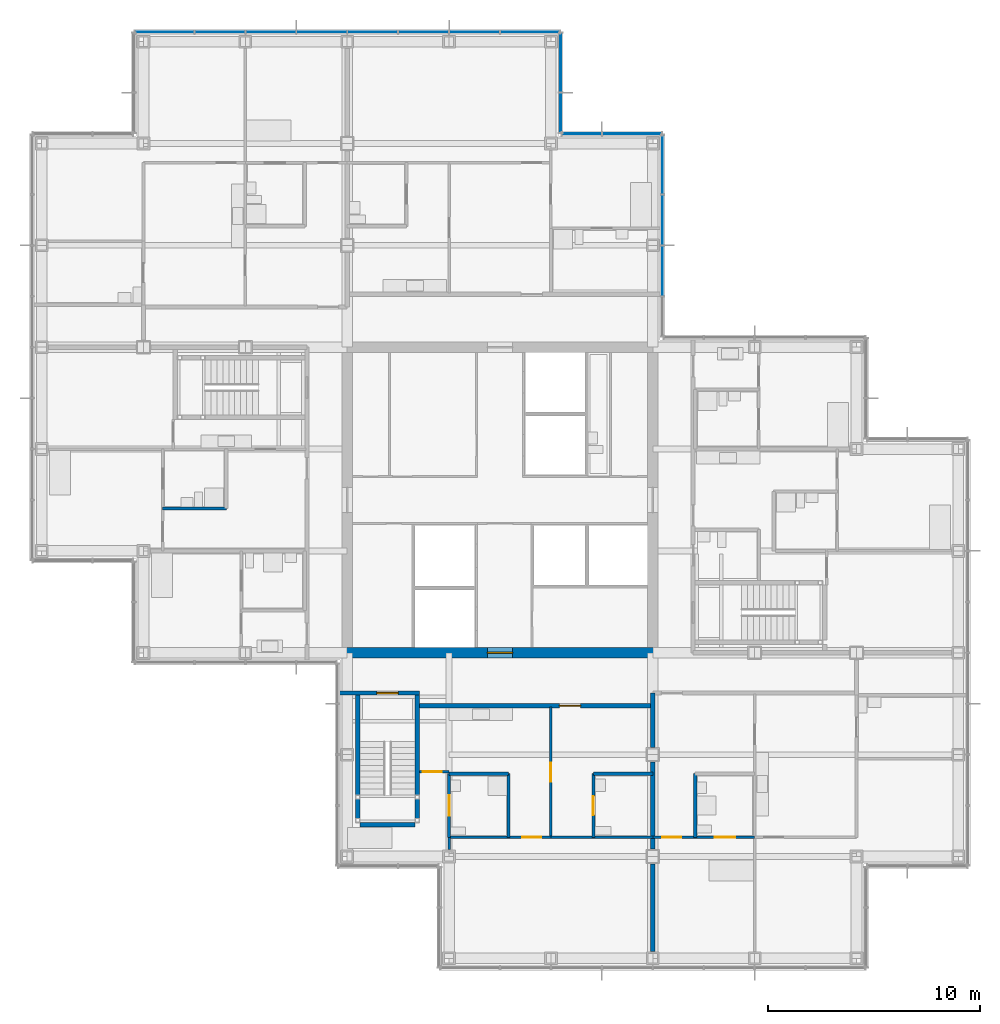
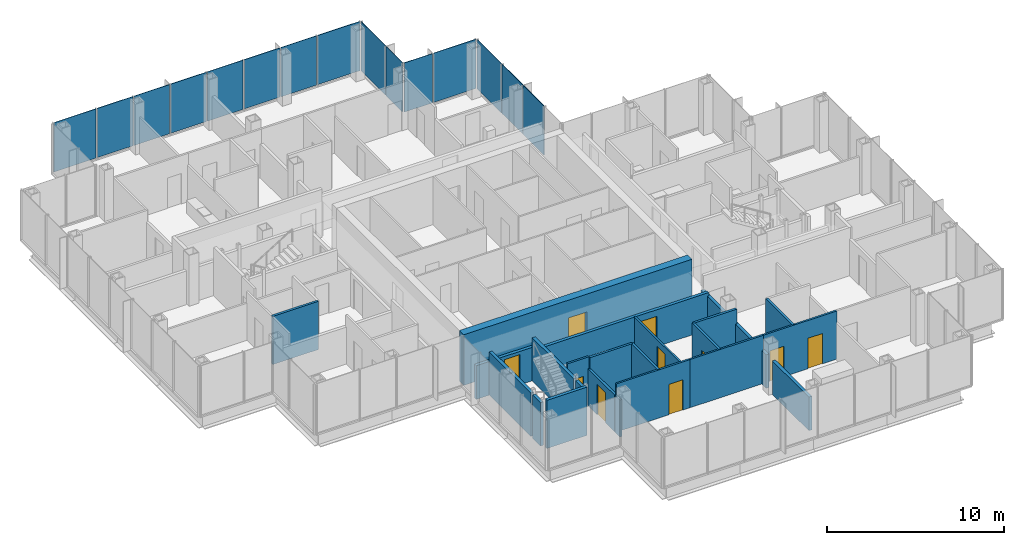
# One storey, part 13 of 20: 24 walls, 15 plates, 10 doors, 10 openings, 4 elements without a shape of their own.
"""IFC4 building model written with IfcOpenShell, lengths in metres."""

import ifcopenshell
import ifcopenshell.guid

model = None  # the IFC model being written
_history = None  # IfcOwnerHistory: only IFC2X3 demands one
_inside = {}  # id of a spatial element -> (the spatial element, [elements in it])
_under = {}  # id of a project, library or spatial element -> (it, [spatial elements below it])
_declared = {}  # id of a project -> (the project, [libraries it declares])
_typed = {}  # id of a type object -> (the type object, [elements of that type])
_made_of = {}  # id of a material, layer set ... -> (it, [elements and type objects made of it])


def new_model(schema):
    """Start an empty IFC model of exactly this schema.

    Asked for "IFC4X3", IfcOpenShell would pick the latest addendum, in which some entities
    have other attributes; the version numbers below select the first issue.
    IFC2X3 requires an IfcOwnerHistory on every rooted entity: one is made here for all.
    """
    global model, _history
    if schema == "IFC4X3":
        model = ifcopenshell.file(schema_version=(4, 3, 0, 0))
    else:
        model = ifcopenshell.file(schema=schema)
    _inside.clear()
    _under.clear()
    _declared.clear()
    _typed.clear()
    _made_of.clear()
    _history = None
    if model.schema == "IFC2X3":
        org = make("IfcOrganization", Name="unknown")
        user = make(
            "IfcPersonAndOrganization",
            ThePerson=make("IfcPerson", FamilyName="unknown"),
            TheOrganization=org,
        )
        app = make(
            "IfcApplication",
            ApplicationDeveloper=org,
            Version="unknown",
            ApplicationFullName="unknown",
            ApplicationIdentifier="unknown",
        )
        _history = make(
            "IfcOwnerHistory",
            OwningUser=user,
            OwningApplication=app,
            ChangeAction="ADDED",
            CreationDate=0,
        )
    return model


def make(cls, **values):
    """One entity of the class cls with the attributes given. An attribute that is None is left unset."""
    return model.create_entity(
        cls, **{name: value for name, value in values.items() if value is not None}
    )


def rooted(cls, **values):
    """An entity with a GlobalId (a new one), such as an element, a storey or a relation."""
    return make(cls, GlobalId=ifcopenshell.guid.new(), OwnerHistory=_history, **values)


def si_unit(unit_type, name, prefix=None):
    """IfcSIUnit, for example si_unit("LENGTHUNIT", "METRE", prefix="MILLI")."""
    return make("IfcSIUnit", UnitType=unit_type, Prefix=prefix, Name=name)


def assignment(units):
    """IfcUnitAssignment: the units of a project."""
    return None if units is None else make("IfcUnitAssignment", Units=units)


def point(xyz):
    """IfcCartesianPoint."""
    return None if xyz is None else make("IfcCartesianPoint", Coordinates=xyz)


def direction(xyz):
    """IfcDirection."""
    return None if xyz is None else make("IfcDirection", DirectionRatios=xyz)


def frame(location, z_axis=None, x_axis=None):
    """IfcAxis2Placement3D, a coordinate frame: its origin and axes. An axis left out is left unset."""
    return make(
        "IfcAxis2Placement3D",
        Location=point(location),
        Axis=direction(z_axis),
        RefDirection=direction(x_axis),
    )


def frame_2d(location, x_axis=None):
    """IfcAxis2Placement2D, a coordinate frame in the plane: its origin and x axis."""
    return make(
        "IfcAxis2Placement2D", Location=point(location), RefDirection=direction(x_axis)
    )


def origin():
    """The frame at (0, 0, 0) with its axes left unset."""
    return frame((0.0, 0.0, 0.0))


def origin_2d():
    """The frame at (0, 0) in the plane with its x axis left unset."""
    return frame_2d((0.0, 0.0))


def place(relative_to, where):
    """IfcLocalPlacement: puts the frame where relative to a parent placement (None: the world)."""
    return make(
        "IfcLocalPlacement", PlacementRelTo=relative_to, RelativePlacement=where
    )


def context(
    kind, dimensions, precision=None, world=None, true_north=None, identifier=None
):
    """IfcGeometricRepresentationContext, for example the 3D "Model" context."""
    return make(
        "IfcGeometricRepresentationContext",
        ContextIdentifier=identifier,
        ContextType=kind,
        CoordinateSpaceDimension=dimensions,
        Precision=precision,
        WorldCoordinateSystem=world,
        TrueNorth=true_north,
    )


def subcontext(parent, identifier, kind, view, scale=None):
    """IfcGeometricRepresentationSubContext, for example "Body" below "Model"."""
    return make(
        "IfcGeometricRepresentationSubContext",
        ContextIdentifier=identifier,
        ContextType=kind,
        ParentContext=parent,
        TargetScale=scale,
        TargetView=view,
    )


def project(units=None, contexts=None):
    """IfcProject with its units and contexts."""
    return rooted(
        "IfcProject",
        Name="project",
        RepresentationContexts=contexts,
        UnitsInContext=assignment(units),
    )


def spatial(cls, under=None, at=None, **own):
    """A site, building, storey or space (cls), placed at a placement, below another one or the project."""
    s = rooted(cls, ObjectPlacement=at, **own)
    if under is not None:
        _under.setdefault(under.id(), (under, []))[1].append(s)
    return s


def profile(cls, at=None, kind="AREA", **sizes):
    """A parametric profile (cls). Its sizes go by their IFC names, for example OverallWidth=200.0."""
    return make(cls, ProfileType=kind, Position=at, **sizes)


def rectangle(**sizes):
    """IfcRectangleProfileDef."""
    return profile("IfcRectangleProfileDef", **sizes)


def extrude(swept, where, along, depth):
    """IfcExtrudedAreaSolid: the profile swept, set in the frame where, extruded along a direction by depth."""
    return make(
        "IfcExtrudedAreaSolid",
        SweptArea=swept,
        Position=where,
        ExtrudedDirection=direction(along),
        Depth=depth,
    )


def shape(context_of_items, identifier, shape_type, items):
    """IfcShapeRepresentation: the items that make up one representation, for example the "Body"."""
    return make(
        "IfcShapeRepresentation",
        ContextOfItems=context_of_items,
        RepresentationIdentifier=identifier,
        RepresentationType=shape_type,
        Items=items,
    )


def material(Name=None, Category=None):
    """IfcMaterial."""
    return make("IfcMaterial", Name=Name, Category=Category)


def layer(
    of_material, thickness, ventilated=None, Name=None, Category=None, Priority=None
):
    """IfcMaterialLayer: one layer of a wall or slab, of a material (None: an air gap)."""
    return make(
        "IfcMaterialLayer",
        Material=of_material,
        LayerThickness=thickness,
        IsVentilated=ventilated,
        Name=Name,
        Category=Category,
        Priority=Priority,
    )


def layer_set(layers, Name=None):
    """IfcMaterialLayerSet."""
    return make("IfcMaterialLayerSet", MaterialLayers=layers, LayerSetName=Name)


def made_of(thing, what):
    """Note that an element or type object is made of a material, layer set ...; save() writes the relation."""
    if what is not None:
        _made_of.setdefault(what.id(), (what, []))[1].append(thing)
    return thing


def type_object(cls, material=None, **own):
    """A type object (cls), such as IfcWallType, which elements share."""
    return made_of(rooted(cls, **own), material)


def element(
    cls,
    number,
    at=None,
    inside=None,
    cuts=None,
    type_object=None,
    material=None,
    context=None,
    identifier="Body",
    shape_type=None,
    held_by="IfcProductDefinitionShape",
    body=None,
    shapes=None,
    **own,
):
    """One element of the class cls, such as IfcWall. Its Tag is "e" and its number.

    at: its placement. inside: the storey or other place that contains it. cuts: it is an
    opening in that element (IfcRelVoidsElement). A single representation is given by context,
    identifier, shape_type and body (its items); several are given by shapes. held_by: the class
    of the entity that holds the representations. save() writes the other relations.
    """
    e = rooted(cls, Tag="e%d" % number, ObjectPlacement=at, **own)
    if body is not None:
        shapes = [shape(context, identifier, shape_type, body)]
    if shapes is not None:
        e.Representation = make(held_by, Representations=shapes)
    if inside is not None:
        _inside.setdefault(inside.id(), (inside, []))[1].append(e)
    if cuts is not None:
        rooted(
            "IfcRelVoidsElement", RelatingBuildingElement=cuts, RelatedOpeningElement=e
        )
    if type_object is not None:
        _typed.setdefault(type_object.id(), (type_object, []))[1].append(e)
    return made_of(e, material)


def fill(opening, filler):
    """IfcRelFillsElement: the door or window that sits in an opening."""
    return rooted(
        "IfcRelFillsElement",
        RelatingOpeningElement=opening,
        RelatedBuildingElement=filler,
    )


def aggregate(whole, parts):
    """IfcRelAggregates: a whole, such as a stair, and the parts it consists of."""
    return rooted("IfcRelAggregates", RelatingObject=whole, RelatedObjects=parts)


def save(model, path):
    """Write the relations noted so far, then the file.

    IfcRelAggregates (storeys below a building ...), IfcRelContainedInSpatialStructure (elements
    in a storey), IfcRelDefinesByType, IfcRelAssociatesMaterial and IfcRelDeclares: one each for
    every whole, place, type object, material and project.
    """
    for whole, parts in _under.values():
        aggregate(whole, parts)
    for where, things in _inside.values():
        rooted(
            "IfcRelContainedInSpatialStructure",
            RelatedElements=things,
            RelatingStructure=where,
        )
    for kind, things in _typed.values():
        rooted("IfcRelDefinesByType", RelatedObjects=things, RelatingType=kind)
    for what, things in _made_of.values():
        rooted("IfcRelAssociatesMaterial", RelatedObjects=things, RelatingMaterial=what)
    for by, libraries in _declared.values():
        rooted("IfcRelDeclares", RelatingContext=by, RelatedDefinitions=libraries)
    model.write(path)


model = new_model("IFC4")

# Units and contexts
model_context = context("Model", 3, precision=1e-05, world=origin(), true_north=direction((0.0, 1.0)))
body_context = subcontext(model_context, "Body", "Model", "MODEL_VIEW")
ifc_project = project(units=[si_unit("LENGTHUNIT", "METRE"), si_unit("AREAUNIT", "SQUARE_METRE"), si_unit("VOLUMEUNIT", "CUBIC_METRE"), si_unit("PLANEANGLEUNIT", "RADIAN"), si_unit("MASSUNIT", "GRAM", prefix="KILO")], contexts=[model_context])

# Site, building, storey
site_placement = place(None, origin())
site = spatial("IfcSite", under=ifc_project, at=site_placement, CompositionType="ELEMENT")
building_placement = place(site_placement, origin())
building = spatial("IfcBuilding", under=site, at=building_placement, Name="Kvirike Care Tower", CompositionType="ELEMENT")
storey_placement = place(building_placement, frame((0.0, 0.0, 126.0)))
storey = spatial("IfcBuildingStorey", under=building, at=storey_placement, Name="L34", CompositionType="ELEMENT", Elevation=126.0)

# Curtain wall, plates
ifc_material_1 = material(Name="Anodised aluminium stick system", Category="aluminium")
curtain_wall_type = type_object("IfcCurtainWallType", Name="CW-B STICK CURTAIN WALL", PredefinedType="NOTDEFINED", material=ifc_material_1)
curtain_wall_1_placement = place(storey_placement, origin())
curtain_wall_1 = element("IfcCurtainWall", 1, at=curtain_wall_1_placement, inside=storey, type_object=curtain_wall_type, Name="Curtain wall L34 face 5", PredefinedType="NOTDEFINED")
ifc_material_2 = material(Name="Tinted double glazed unit", Category="glass")
ifc_layer_1 = layer(ifc_material_2, 0.035888671875)
ifc_layer_set_1 = layer_set([ifc_layer_1], Name="TINTED VISION PANEL 36")
plate_type = type_object("IfcPlateType", Name="TINTED VISION PANEL 36", PredefinedType="CURTAIN_PANEL", material=ifc_layer_set_1)
plate_1_placement = place(storey_placement, frame((29.260009765625, 46.800048828125, 0.10009765625), z_axis=(0.0, 0.0, 1.0), x_axis=(0.0, 1.0, 0.0)))
plate_1 = element("IfcPlate", 2, at=plate_1_placement, type_object=plate_type, Name="CW-B panel L34 face 5.2", PredefinedType="CURTAIN_PANEL", context=body_context, shape_type="SweptSolid", body=[
    extrude(rectangle(XDim=2.3349609375, YDim=0.035888671875, at=origin_2d()), origin(), (0.0, 0.0, 1.0), 3.39990234375),
])
plate_2_placement = place(storey_placement, frame((29.260009765625, 49.199951171875, 0.10009765625), z_axis=(0.0, 0.0, 1.0), x_axis=(0.0, 1.0, 0.0)))
plate_2 = element("IfcPlate", 3, at=plate_2_placement, type_object=plate_type, Name="CW-B panel L34 face 5.3", PredefinedType="CURTAIN_PANEL", context=body_context, shape_type="SweptSolid", body=[
    extrude(rectangle(XDim=2.3349609375, YDim=0.035888671875, at=origin_2d()), origin(), (0.0, 0.0, 1.0), 3.39990234375),
])
plate_3_placement = place(storey_placement, frame((29.260009765625, 51.813720703125, 0.10009765625), z_axis=(0.0, 0.0, 1.0), x_axis=(0.0, 1.0, 0.0)))
plate_3 = element("IfcPlate", 4, at=plate_3_placement, type_object=plate_type, Name="CW-B panel L34 face 5.4", PredefinedType="CURTAIN_PANEL", context=body_context, shape_type="SweptSolid", body=[
    extrude(rectangle(XDim=2.762451171875, YDim=0.035888671875, at=origin_2d()), origin(), (0.0, 0.0, 1.0), 3.39990234375),
])
aggregate(curtain_wall_1, [plate_1, plate_2, plate_3])

curtain_wall_2_placement = place(storey_placement, origin())
curtain_wall_2 = element("IfcCurtainWall", 5, at=curtain_wall_2_placement, inside=storey, type_object=curtain_wall_type, Name="Curtain wall L34 face 6", PredefinedType="NOTDEFINED")
plate_4_placement = place(storey_placement, frame((27.813720703125, 53.260009765625, 0.10009765625), z_axis=(0.0, 0.0, 1.0), x_axis=(-1.0, 0.0, 0.0)))
plate_4 = element("IfcPlate", 6, at=plate_4_placement, type_object=plate_type, Name="CW-B panel L34 face 6.1", PredefinedType="CURTAIN_PANEL", context=body_context, shape_type="SweptSolid", body=[
    extrude(rectangle(XDim=2.762451171875, YDim=0.035888671875, at=origin_2d()), origin(), (0.0, 0.0, 1.0), 3.39990234375),
])
plate_5_placement = place(storey_placement, frame((25.4462890625, 53.260009765625, 0.10009765625), z_axis=(0.0, 0.0, 1.0), x_axis=(-1.0, 0.0, 0.0)))
plate_5 = element("IfcPlate", 7, at=plate_5_placement, type_object=plate_type, Name="CW-B panel L34 face 6.2", PredefinedType="CURTAIN_PANEL", context=body_context, shape_type="SweptSolid", body=[
    extrude(rectangle(XDim=1.842529296875, YDim=0.035888671875, at=origin_2d()), origin(), (0.0, 0.0, 1.0), 3.39990234375),
])
aggregate(curtain_wall_2, [plate_4, plate_5])

curtain_wall_3_placement = place(storey_placement, origin())
curtain_wall_3 = element("IfcCurtainWall", 8, at=curtain_wall_3_placement, inside=storey, type_object=curtain_wall_type, Name="Curtain wall L34 face 7", PredefinedType="NOTDEFINED")
plate_6_placement = place(storey_placement, frame((24.4599609375, 54.246337890625, 0.10009765625), z_axis=(0.0, 0.0, 1.0), x_axis=(0.0, 1.0, 0.0)))
plate_6 = element("IfcPlate", 9, at=plate_6_placement, type_object=plate_type, Name="CW-B panel L34 face 7.1", PredefinedType="CURTAIN_PANEL", context=body_context, shape_type="SweptSolid", body=[
    extrude(rectangle(XDim=1.842529296875, YDim=0.035888671875, at=origin_2d()), origin(), (0.0, 0.0, 1.0), 3.39990234375),
])
plate_7_placement = place(storey_placement, frame((24.4599609375, 56.61376953125, 0.10009765625), z_axis=(0.0, 0.0, 1.0), x_axis=(0.0, 1.0, 0.0)))
plate_7 = element("IfcPlate", 10, at=plate_7_placement, type_object=plate_type, Name="CW-B panel L34 face 7.2", PredefinedType="CURTAIN_PANEL", context=body_context, shape_type="SweptSolid", body=[
    extrude(rectangle(XDim=2.762451171875, YDim=0.035888671875, at=origin_2d()), origin(), (0.0, 0.0, 1.0), 3.39990234375),
])
aggregate(curtain_wall_3, [plate_6, plate_7])

curtain_wall_4_placement = place(storey_placement, origin())
curtain_wall_4 = element("IfcCurtainWall", 11, at=curtain_wall_4_placement, inside=storey, type_object=curtain_wall_type, Name="Curtain wall L34 face 8", PredefinedType="NOTDEFINED")
plate_8_placement = place(storey_placement, frame((23.013671875, 58.06005859375, 0.10009765625), z_axis=(0.0, 0.0, 1.0), x_axis=(-1.0, 0.0, 0.0)))
plate_8 = element("IfcPlate", 12, at=plate_8_placement, type_object=plate_type, Name="CW-B panel L34 face 8.1", PredefinedType="CURTAIN_PANEL", context=body_context, shape_type="SweptSolid", body=[
    extrude(rectangle(XDim=2.762451171875, YDim=0.035888671875, at=origin_2d()), origin(), (0.0, 0.0, 1.0), 3.39990234375),
])
plate_9_placement = place(storey_placement, frame((20.39990234375, 58.06005859375, 0.10009765625), z_axis=(0.0, 0.0, 1.0), x_axis=(-1.0, 0.0, 0.0)))
plate_9 = element("IfcPlate", 13, at=plate_9_placement, type_object=plate_type, Name="CW-B panel L34 face 8.2", PredefinedType="CURTAIN_PANEL", context=body_context, shape_type="SweptSolid", body=[
    extrude(rectangle(XDim=2.3349609375, YDim=0.035888671875, at=origin_2d()), origin(), (0.0, 0.0, 1.0), 3.39990234375),
])
plate_10_placement = place(storey_placement, frame((18.0, 58.06005859375, 0.10009765625), z_axis=(0.0, 0.0, 1.0), x_axis=(-1.0, 0.0, 0.0)))
plate_10 = element("IfcPlate", 14, at=plate_10_placement, type_object=plate_type, Name="CW-B panel L34 face 8.3", PredefinedType="CURTAIN_PANEL", context=body_context, shape_type="SweptSolid", body=[
    extrude(rectangle(XDim=2.3349609375, YDim=0.035888671875, at=origin_2d()), origin(), (0.0, 0.0, 1.0), 3.39990234375),
])
plate_11_placement = place(storey_placement, frame((15.60009765625, 58.06005859375, 0.10009765625), z_axis=(0.0, 0.0, 1.0), x_axis=(-1.0, 0.0, 0.0)))
plate_11 = element("IfcPlate", 15, at=plate_11_placement, type_object=plate_type, Name="CW-B panel L34 face 8.4", PredefinedType="CURTAIN_PANEL", context=body_context, shape_type="SweptSolid", body=[
    extrude(rectangle(XDim=2.3349609375, YDim=0.035888671875, at=origin_2d()), origin(), (0.0, 0.0, 1.0), 3.39990234375),
])
plate_12_placement = place(storey_placement, frame((13.199951171875, 58.06005859375, 0.10009765625), z_axis=(0.0, 0.0, 1.0), x_axis=(-1.0, 0.0, 0.0)))
plate_12 = element("IfcPlate", 16, at=plate_12_placement, type_object=plate_type, Name="CW-B panel L34 face 8.5", PredefinedType="CURTAIN_PANEL", context=body_context, shape_type="SweptSolid", body=[
    extrude(rectangle(XDim=2.3349609375, YDim=0.035888671875, at=origin_2d()), origin(), (0.0, 0.0, 1.0), 3.39990234375),
])
plate_13_placement = place(storey_placement, frame((10.800048828125, 58.06005859375, 0.10009765625), z_axis=(0.0, 0.0, 1.0), x_axis=(-1.0, 0.0, 0.0)))
plate_13 = element("IfcPlate", 17, at=plate_13_placement, type_object=plate_type, Name="CW-B panel L34 face 8.6", PredefinedType="CURTAIN_PANEL", context=body_context, shape_type="SweptSolid", body=[
    extrude(rectangle(XDim=2.3349609375, YDim=0.035888671875, at=origin_2d()), origin(), (0.0, 0.0, 1.0), 3.39990234375),
])
plate_14_placement = place(storey_placement, frame((8.39990234375, 58.06005859375, 0.10009765625), z_axis=(0.0, 0.0, 1.0), x_axis=(-1.0, 0.0, 0.0)))
plate_14 = element("IfcPlate", 18, at=plate_14_placement, type_object=plate_type, Name="CW-B panel L34 face 8.7", PredefinedType="CURTAIN_PANEL", context=body_context, shape_type="SweptSolid", body=[
    extrude(rectangle(XDim=2.3349609375, YDim=0.035888671875, at=origin_2d()), origin(), (0.0, 0.0, 1.0), 3.39990234375),
])
plate_15_placement = place(storey_placement, frame((5.7861328125, 58.06005859375, 0.10009765625), z_axis=(0.0, 0.0, 1.0), x_axis=(-1.0, 0.0, 0.0)))
plate_15 = element("IfcPlate", 19, at=plate_15_placement, type_object=plate_type, Name="CW-B panel L34 face 8.8", PredefinedType="CURTAIN_PANEL", context=body_context, shape_type="SweptSolid", body=[
    extrude(rectangle(XDim=2.762451171875, YDim=0.035888671875, at=origin_2d()), origin(), (0.0, 0.0, 1.0), 3.39990234375),
])
aggregate(curtain_wall_4, [plate_8, plate_9, plate_10, plate_11, plate_12, plate_13, plate_14, plate_15])

# Wall
ifc_material_3 = material(Name="Moisture-resistant board partition", Category="gypsum")
ifc_layer_2 = layer(ifc_material_3, 0.14990234375)
ifc_layer_set_2 = layer_set([ifc_layer_2], Name="BATHROOM WALL 150")
wall_type_1 = type_object("IfcWallType", Name="BATHROOM WALL 150", PredefinedType="PARTITIONING", material=ifc_layer_set_2)
wall_1_placement = place(storey_placement, frame((5.699951171875, 35.60009765625, 0.0), z_axis=(0.0, 0.0, 1.0), x_axis=(1.0, 0.0, 0.0)))
element("IfcWall", 20, at=wall_1_placement, inside=storey, type_object=wall_type_1, Name="Bathroom Wall 150 L34", PredefinedType="PARTITIONING", context=body_context, shape_type="SweptSolid", body=[
    extrude(rectangle(XDim=3.0, YDim=0.14990234375, at=frame_2d((1.5, 0.0))), origin(), (0.0, 0.0, 1.0), 3.330078125),
])

# Wall, opening, door
wall_2_placement = place(storey_placement, frame((26.0, 20.10009765625, 0.0), z_axis=(0.0, 0.0, 1.0), x_axis=(0.0, 1.0, 0.0)))
wall_2 = element("IfcWall", 21, at=wall_2_placement, inside=storey, type_object=wall_type_1, Name="Bathroom Wall 150 L34", PredefinedType="PARTITIONING", context=body_context, shape_type="SweptSolid", body=[
    extrude(rectangle(XDim=3.0, YDim=0.14990234375, at=frame_2d((1.5, 0.0))), origin(), (0.0, 0.0, 1.0), 3.330078125),
])
opening_1_placement = place(wall_2_placement, frame((1.050048828125, 0.0, 0.0)))
opening_1 = element("IfcOpeningElement", 22, at=opening_1_placement, cuts=wall_2, Name="Opening 34-017", PredefinedType="OPENING", context=body_context, shape_type="SweptSolid", body=[
    extrude(rectangle(XDim=0.89990234375, YDim=2.10009765625, at=frame_2d((0.449951171875, 1.050048828125))), frame((0.0, 0.08544921875, 0.0), z_axis=(0.0, -1.0, 0.0), x_axis=(1.0, 0.0, 0.0)), (0.0, 0.0, 1.0), 0.1708984375),
])
ifc_material_4 = material(Name="Timber door set", Category="wood")
door_type_1 = type_object("IfcDoorType", Name="BATHROOM DOOR 900", OperationType="SINGLE_SWING_RIGHT", PredefinedType="DOOR", material=ifc_material_4)
door_1_placement = place(opening_1_placement, frame((0.89990234375, 0.0, 0.0), z_axis=(0.0, 0.0, 1.0), x_axis=(-1.0, 0.0, 0.0)))
door_1 = element("IfcDoor", 23, at=door_1_placement, inside=storey, type_object=door_type_1, Name="Accessible WC door", OperationType="SINGLE_SWING_RIGHT", OverallHeight=2.10009765625, OverallWidth=0.89990234375, PredefinedType="DOOR", context=body_context, shape_type="SweptSolid", body=[
    extrude(rectangle(XDim=0.89990234375, YDim=2.10009765625, at=frame_2d((0.449951171875, 1.050048828125))), frame((0.0, 0.02197265625, 0.0), z_axis=(0.0, -1.0, 0.0), x_axis=(1.0, 0.0, 0.0)), (0.0, 0.0, 1.0), 0.0439453125),
])
fill(opening_1, door_1)

# Wall
wall_3_placement = place(storey_placement, frame((26.0, 23.10009765625, 0.0), z_axis=(0.0, 0.0, 1.0), x_axis=(1.0, 0.0, 0.0)))
element("IfcWall", 24, at=wall_3_placement, inside=storey, type_object=wall_type_1, Name="Bathroom Wall 150 L34", PredefinedType="PARTITIONING", context=body_context, shape_type="SweptSolid", body=[
    extrude(rectangle(XDim=2.800048828125, YDim=0.14990234375, at=frame_2d((1.39990234375, 0.0))), origin(), (0.0, 0.0, 1.0), 3.330078125),
])

# Wall, opening, door
wall_4_placement = place(storey_placement, frame((19.199951171875, 20.10009765625, 0.0), z_axis=(0.0, 0.0, 1.0), x_axis=(0.0, 1.0, 0.0)))
wall_4 = element("IfcWall", 25, at=wall_4_placement, inside=storey, type_object=wall_type_1, Name="Bathroom Wall 150 L34", PredefinedType="PARTITIONING", context=body_context, shape_type="SweptSolid", body=[
    extrude(rectangle(XDim=3.0, YDim=0.14990234375, at=frame_2d((1.5, 0.0))), origin(), (0.0, 0.0, 1.0), 2.550048828125),
])
opening_2_placement = place(wall_4_placement, frame((1.02490234375, 0.0, 0.0)))
opening_2 = element("IfcOpeningElement", 26, at=opening_2_placement, cuts=wall_4, Name="Opening 34-018", PredefinedType="OPENING", context=body_context, shape_type="SweptSolid", body=[
    extrude(rectangle(XDim=0.949951171875, YDim=2.10009765625, at=frame_2d((0.47509765625, 1.050048828125))), frame((0.0, 0.08544921875, 0.0), z_axis=(0.0, -1.0, 0.0), x_axis=(1.0, 0.0, 0.0)), (0.0, 0.0, 1.0), 0.1708984375),
])
ifc_material_5 = material(Name="Timber door set", Category="wood")
door_type_2 = type_object("IfcDoorType", Name="EN-SUITE SLIDING DOOR 950", OperationType="SLIDING_TO_LEFT", PredefinedType="DOOR", material=ifc_material_5)
door_2_placement = place(opening_2_placement, origin())
door_2 = element("IfcDoor", 27, at=door_2_placement, inside=storey, type_object=door_type_2, Name="En-suite door", OperationType="SLIDING_TO_RIGHT", OverallHeight=2.10009765625, OverallWidth=0.949951171875, PredefinedType="DOOR", context=body_context, shape_type="SweptSolid", body=[
    extrude(rectangle(XDim=0.949951171875, YDim=2.10009765625, at=frame_2d((0.47509765625, 1.050048828125))), frame((0.0, 0.02197265625, 0.0), z_axis=(0.0, -1.0, 0.0), x_axis=(1.0, 0.0, 0.0)), (0.0, 0.0, 1.0), 0.0439453125),
])
fill(opening_2, door_2)

# Walls
wall_5_placement = place(storey_placement, frame((22.0, 20.10009765625, 0.0), z_axis=(0.0, 0.0, 1.0), x_axis=(0.0, 1.0, 0.0)))
element("IfcWall", 28, at=wall_5_placement, inside=storey, type_object=wall_type_1, Name="Bathroom Wall 150 L34", PredefinedType="PARTITIONING", context=body_context, shape_type="SweptSolid", body=[
    extrude(rectangle(XDim=3.0, YDim=0.14990234375, at=frame_2d((1.5, 0.0))), origin(), (0.0, 0.0, 1.0), 3.330078125),
])
wall_6_placement = place(storey_placement, frame((19.199951171875, 23.10009765625, 0.0), z_axis=(0.0, 0.0, 1.0), x_axis=(1.0, 0.0, 0.0)))
element("IfcWall", 29, at=wall_6_placement, inside=storey, type_object=wall_type_1, Name="Bathroom Wall 150 L34", PredefinedType="PARTITIONING", context=body_context, shape_type="SweptSolid", body=[
    extrude(rectangle(XDim=2.800048828125, YDim=0.14990234375, at=frame_2d((1.39990234375, 0.0))), origin(), (0.0, 0.0, 1.0), 3.330078125),
])
wall_7_placement = place(storey_placement, frame((30.800048828125, 20.10009765625, 0.0), z_axis=(0.0, 0.0, 1.0), x_axis=(0.0, 1.0, 0.0)))
element("IfcWall", 30, at=wall_7_placement, inside=storey, type_object=wall_type_1, Name="Bathroom Wall 150 L34", PredefinedType="PARTITIONING", context=body_context, shape_type="SweptSolid", body=[
    extrude(rectangle(XDim=3.0, YDim=0.14990234375, at=frame_2d((1.5, 0.0))), origin(), (0.0, 0.0, 1.0), 3.330078125),
])

# Wall, opening, door
ifc_material_6 = material(Name="Concrete C50/60", Category="concrete")
ifc_layer_3 = layer(ifc_material_6, 0.5)
ifc_layer_set_3 = layer_set([ifc_layer_3], Name="CORE WALL 500 C50-60")
wall_type_2 = type_object("IfcWallType", Name="CORE WALL 500 C50-60", PredefinedType="SHEAR", material=ifc_layer_set_3)
wall_8_placement = place(storey_placement, frame((14.14990234375, 28.800048828125, -0.169921875), z_axis=(0.0, 0.0, 1.0), x_axis=(1.0, 0.0, 0.0)))
wall_8 = element("IfcWall", 31, at=wall_8_placement, inside=storey, type_object=wall_type_2, Name="Core wall S L34", PredefinedType="SHEAR", context=body_context, shape_type="SweptSolid", body=[
    extrude(rectangle(XDim=14.900146484375, YDim=0.5, at=frame_2d((7.4501953125, 0.0))), origin(), (0.0, 0.0, 1.0), 3.5),
])
opening_3_placement = place(wall_8_placement, frame((6.85009765625, 0.0, 0.169921875)))
opening_3 = element("IfcOpeningElement", 32, at=opening_3_placement, cuts=wall_8, Name="Opening 34-056", PredefinedType="OPENING", context=body_context, shape_type="SweptSolid", body=[
    extrude(rectangle(XDim=1.199951171875, YDim=2.10009765625, at=frame_2d((0.60009765625, 1.050048828125))), frame((0.0, 0.260498046875, 0.0), z_axis=(0.0, -1.0, 0.0), x_axis=(1.0, 0.0, 0.0)), (0.0, 0.0, 1.0), 0.52099609375),
])
ifc_material_7 = material(Name="Timber door set", Category="wood")
door_type_3 = type_object("IfcDoorType", Name="CORE DOOR 1200", OperationType="SINGLE_SWING_LEFT", PredefinedType="DOOR", material=ifc_material_7)
door_3_placement = place(opening_3_placement, origin())
door_3 = element("IfcDoor", 33, at=door_3_placement, inside=storey, type_object=door_type_3, Name="Core door S L34", OperationType="SINGLE_SWING_LEFT", OverallHeight=2.10009765625, OverallWidth=1.199951171875, PredefinedType="DOOR", context=body_context, shape_type="SweptSolid", body=[
    extrude(rectangle(XDim=1.199951171875, YDim=2.10009765625, at=frame_2d((0.60009765625, 1.050048828125))), frame((0.0, 0.02685546875, 0.0), z_axis=(0.0, -1.0, 0.0), x_axis=(1.0, 0.0, 0.0)), (0.0, 0.0, 1.0), 0.053955078125),
])
fill(opening_3, door_3)

ifc_material_8 = material(Name="Plasterboard corridor wall", Category="gypsum")
ifc_layer_4 = layer(ifc_material_8, 0.199951171875)
ifc_layer_set_4 = layer_set([ifc_layer_4], Name="CORRIDOR WALL 200")
wall_type_3 = type_object("IfcWallType", Name="CORRIDOR WALL 200", PredefinedType="PARTITIONING", material=ifc_layer_set_4)
wall_9_placement = place(storey_placement, frame((17.800048828125, 26.300048828125, 0.0), z_axis=(0.0, 0.0, 1.0), x_axis=(1.0, 0.0, 0.0)))
wall_9 = element("IfcWall", 34, at=wall_9_placement, inside=storey, type_object=wall_type_3, Name="Corridor Wall 200 L34", PredefinedType="PARTITIONING", context=body_context, shape_type="SweptSolid", body=[
    extrude(rectangle(XDim=11.0, YDim=0.199951171875, at=frame_2d((5.5, 0.0))), origin(), (0.0, 0.0, 1.0), 2.550048828125),
])
opening_4_placement = place(wall_9_placement, frame((6.60009765625, 0.0, 0.0)))
opening_4 = element("IfcOpeningElement", 35, at=opening_4_placement, cuts=wall_9, Name="Opening 34-022", PredefinedType="OPENING", context=body_context, shape_type="SweptSolid", body=[
    extrude(rectangle(XDim=1.0, YDim=2.10009765625, at=frame_2d((0.5, 1.050048828125))), frame((0.0, 0.110595703125, 0.0), z_axis=(0.0, -1.0, 0.0), x_axis=(1.0, 0.0, 0.0)), (0.0, 0.0, 1.0), 0.220947265625),
])
ifc_material_9 = material(Name="Timber door set", Category="wood")
door_type_4 = type_object("IfcDoorType", Name="FLAT ENTRANCE DOOR 1000", OperationType="SINGLE_SWING_LEFT", PredefinedType="DOOR", material=ifc_material_9)
door_4_placement = place(opening_4_placement, frame((1.0, 0.0, 0.0), z_axis=(0.0, 0.0, 1.0), x_axis=(-1.0, 0.0, 0.0)))
door_4 = element("IfcDoor", 36, at=door_4_placement, inside=storey, type_object=door_type_4, Name="Assisted living suite for couples entrance", OperationType="SINGLE_SWING_LEFT", OverallHeight=2.10009765625, OverallWidth=1.0, PredefinedType="DOOR", context=body_context, shape_type="SweptSolid", body=[
    extrude(rectangle(XDim=1.0, YDim=2.10009765625, at=frame_2d((0.5, 1.050048828125))), frame((0.0, 0.02685546875, 0.0), z_axis=(0.0, -1.0, 0.0), x_axis=(1.0, 0.0, 0.0)), (0.0, 0.0, 1.0), 0.053955078125),
])
fill(opening_4, door_4)

ifc_material_10 = material(Name="Plasterboard partition", Category="gypsum")
ifc_layer_5 = layer(ifc_material_10, 0.1201171875)
ifc_layer_set_5 = layer_set([ifc_layer_5], Name="PARTITION 120")
wall_type_4 = type_object("IfcWallType", Name="PARTITION 120", PredefinedType="PARTITIONING", material=ifc_layer_set_5)
wall_10_placement = place(storey_placement, frame((24.0, 20.10009765625, 0.0), z_axis=(0.0, 0.0, 1.0), x_axis=(0.0, 1.0, 0.0)))
wall_10 = element("IfcWall", 37, at=wall_10_placement, inside=storey, type_object=wall_type_4, Name="Partition 120 L34", PredefinedType="PARTITIONING", context=body_context, shape_type="SweptSolid", body=[
    extrude(rectangle(XDim=6.14990234375, YDim=0.1201171875, at=frame_2d((3.074951171875, 0.0))), origin(), (0.0, 0.0, 1.0), 2.550048828125),
])
opening_5_placement = place(wall_10_placement, frame((2.625, 0.0, 0.0)))
opening_5 = element("IfcOpeningElement", 38, at=opening_5_placement, cuts=wall_10, Name="Opening 34-019", PredefinedType="OPENING", context=body_context, shape_type="SweptSolid", body=[
    extrude(rectangle(XDim=0.89990234375, YDim=2.10009765625, at=frame_2d((0.449951171875, 1.050048828125))), frame((0.0, 0.070556640625, 0.0), z_axis=(0.0, -1.0, 0.0), x_axis=(1.0, 0.0, 0.0)), (0.0, 0.0, 1.0), 0.14111328125),
])
ifc_material_11 = material(Name="Timber door set", Category="wood")
door_type_5 = type_object("IfcDoorType", Name="INTERNAL DOOR 900", OperationType="SINGLE_SWING_LEFT", PredefinedType="DOOR", material=ifc_material_11)
door_5_placement = place(opening_5_placement, frame((0.89990234375, 0.0, 0.0), z_axis=(0.0, 0.0, 1.0), x_axis=(-1.0, 0.0, 0.0)))
door_5 = element("IfcDoor", 39, at=door_5_placement, inside=storey, type_object=door_type_5, Name="Hall door", OperationType="SINGLE_SWING_RIGHT", OverallHeight=2.10009765625, OverallWidth=0.89990234375, PredefinedType="DOOR", context=body_context, shape_type="SweptSolid", body=[
    extrude(rectangle(XDim=0.89990234375, YDim=2.10009765625, at=frame_2d((0.449951171875, 1.050048828125))), frame((0.0, 0.02197265625, 0.0), z_axis=(0.0, -1.0, 0.0), x_axis=(1.0, 0.0, 0.0)), (0.0, 0.0, 1.0), 0.0439453125),
])
fill(opening_5, door_5)

wall_11_placement = place(storey_placement, frame((17.800048828125, 23.199951171875, 0.0), z_axis=(0.0, 0.0, 1.0), x_axis=(1.0, 0.0, 0.0)))
wall_11 = element("IfcWall", 40, at=wall_11_placement, inside=storey, type_object=wall_type_4, Name="Partition 120 L34", PredefinedType="PARTITIONING", context=body_context, shape_type="SweptSolid", body=[
    extrude(rectangle(XDim=1.39990234375, YDim=0.1201171875, at=frame_2d((0.699951171875, 0.0))), origin(), (0.0, 0.0, 1.0), 3.330078125),
])
opening_6_placement = place(wall_11_placement, frame((0.14990234375, 0.0, 0.0)))
opening_6 = element("IfcOpeningElement", 41, at=opening_6_placement, cuts=wall_11, Name="Opening 34-020", PredefinedType="OPENING", context=body_context, shape_type="SweptSolid", body=[
    extrude(rectangle(XDim=0.89990234375, YDim=2.10009765625, at=frame_2d((0.449951171875, 1.050048828125))), frame((0.0, 0.070556640625, 0.0), z_axis=(0.0, -1.0, 0.0), x_axis=(1.0, 0.0, 0.0)), (0.0, 0.0, 1.0), 0.14111328125),
])
door_6_placement = place(opening_6_placement, frame((0.89990234375, 0.0, 0.0), z_axis=(0.0, 0.0, 1.0), x_axis=(-1.0, 0.0, 0.0)))
door_6 = element("IfcDoor", 42, at=door_6_placement, inside=storey, type_object=door_type_5, Name="Assisted living suite door", OperationType="SINGLE_SWING_LEFT", OverallHeight=2.10009765625, OverallWidth=0.89990234375, PredefinedType="DOOR", context=body_context, shape_type="SweptSolid", body=[
    extrude(rectangle(XDim=0.89990234375, YDim=2.10009765625, at=frame_2d((0.449951171875, 1.050048828125))), frame((0.0, 0.02197265625, 0.0), z_axis=(0.0, -1.0, 0.0), x_axis=(1.0, 0.0, 0.0)), (0.0, 0.0, 1.0), 0.0439453125),
])
fill(opening_6, door_6)

wall_12_placement = place(storey_placement, frame((19.199951171875, 20.10009765625, 0.0), z_axis=(0.0, 0.0, 1.0), x_axis=(1.0, 0.0, 0.0)))
wall_12 = element("IfcWall", 43, at=wall_12_placement, inside=storey, type_object=wall_type_4, Name="Partition 120 L34", PredefinedType="PARTITIONING", context=body_context, shape_type="SweptSolid", body=[
    extrude(rectangle(XDim=4.800048828125, YDim=0.1201171875, at=frame_2d((2.39990234375, 0.0))), origin(), (0.0, 0.0, 1.0), 3.330078125),
])
opening_7_placement = place(wall_12_placement, frame((3.449951171875, 0.0, 0.0)))
opening_7 = element("IfcOpeningElement", 44, at=opening_7_placement, cuts=wall_12, Name="Opening 34-021", PredefinedType="OPENING", context=body_context, shape_type="SweptSolid", body=[
    extrude(rectangle(XDim=0.89990234375, YDim=2.10009765625, at=frame_2d((0.449951171875, 1.050048828125))), frame((0.0, 0.070556640625, 0.0), z_axis=(0.0, -1.0, 0.0), x_axis=(1.0, 0.0, 0.0)), (0.0, 0.0, 1.0), 0.14111328125),
])
door_7_placement = place(opening_7_placement, origin())
door_7 = element("IfcDoor", 45, at=door_7_placement, inside=storey, type_object=door_type_5, Name="Suite sitting room door", OperationType="SINGLE_SWING_LEFT", OverallHeight=2.10009765625, OverallWidth=0.89990234375, PredefinedType="DOOR", context=body_context, shape_type="SweptSolid", body=[
    extrude(rectangle(XDim=0.89990234375, YDim=2.10009765625, at=frame_2d((0.449951171875, 1.050048828125))), frame((0.0, 0.02197265625, 0.0), z_axis=(0.0, -1.0, 0.0), x_axis=(1.0, 0.0, 0.0)), (0.0, 0.0, 1.0), 0.0439453125),
])
fill(opening_7, door_7)

# Walls
wall_13_placement = place(storey_placement, frame((24.0, 20.10009765625, 0.0), z_axis=(0.0, 0.0, 1.0), x_axis=(1.0, 0.0, 0.0)))
element("IfcWall", 46, at=wall_13_placement, inside=storey, type_object=wall_type_4, Name="Partition 120 L34", PredefinedType="PARTITIONING", context=body_context, shape_type="SweptSolid", body=[
    extrude(rectangle(XDim=4.800048828125, YDim=0.1201171875, at=frame_2d((2.39990234375, 0.0))), origin(), (0.0, 0.0, 1.0), 3.330078125),
])
wall_14_placement = place(storey_placement, frame((19.199951171875, 19.52001953125, 0.0), z_axis=(0.0, 0.0, 1.0), x_axis=(0.0, 1.0, 0.0)))
element("IfcWall", 47, at=wall_14_placement, inside=storey, type_object=wall_type_4, Name="Partition 120 L34", PredefinedType="PARTITIONING", context=body_context, shape_type="SweptSolid", body=[
    extrude(rectangle(XDim=0.580078125, YDim=0.1201171875, at=frame_2d((0.2900390625, 0.0))), origin(), (0.0, 0.0, 1.0), 2.550048828125),
])

# Wall, openings, doors
wall_15_placement = place(storey_placement, frame((28.800048828125, 20.10009765625, 0.0), z_axis=(0.0, 0.0, 1.0), x_axis=(1.0, 0.0, 0.0)))
wall_15 = element("IfcWall", 48, at=wall_15_placement, inside=storey, type_object=wall_type_4, Name="Partition 120 L34", PredefinedType="PARTITIONING", context=body_context, shape_type="SweptSolid", body=[
    extrude(rectangle(XDim=4.800048828125, YDim=0.1201171875, at=frame_2d((2.39990234375, 0.0))), origin(), (0.0, 0.0, 1.0), 3.330078125),
])
opening_8_placement = place(wall_15_placement, frame((0.449951171875, 0.0, 0.0)))
opening_8 = element("IfcOpeningElement", 49, at=opening_8_placement, cuts=wall_15, Name="Opening 34-031", PredefinedType="OPENING", context=body_context, shape_type="SweptSolid", body=[
    extrude(rectangle(XDim=0.89990234375, YDim=2.10009765625, at=frame_2d((0.449951171875, 1.050048828125))), frame((0.0, 0.070556640625, 0.0), z_axis=(0.0, -1.0, 0.0), x_axis=(1.0, 0.0, 0.0)), (0.0, 0.0, 1.0), 0.14111328125),
])
opening_9_placement = place(wall_15_placement, frame((2.925048828125, 0.0, 0.0)))
opening_9 = element("IfcOpeningElement", 50, at=opening_9_placement, cuts=wall_15, Name="Opening 34-032", PredefinedType="OPENING", context=body_context, shape_type="SweptSolid", body=[
    extrude(rectangle(XDim=0.949951171875, YDim=2.10009765625, at=frame_2d((0.47509765625, 1.050048828125))), frame((0.0, 0.070556640625, 0.0), z_axis=(0.0, -1.0, 0.0), x_axis=(1.0, 0.0, 0.0)), (0.0, 0.0, 1.0), 0.14111328125),
])
door_8_placement = place(opening_9_placement, origin())
door_8 = element("IfcDoor", 51, at=door_8_placement, inside=storey, type_object=door_type_2, Name="En-suite door", OperationType="SLIDING_TO_RIGHT", OverallHeight=2.10009765625, OverallWidth=0.949951171875, PredefinedType="DOOR", context=body_context, shape_type="SweptSolid", body=[
    extrude(rectangle(XDim=0.949951171875, YDim=2.10009765625, at=frame_2d((0.47509765625, 1.050048828125))), frame((0.0, 0.02197265625, 0.0), z_axis=(0.0, -1.0, 0.0), x_axis=(1.0, 0.0, 0.0)), (0.0, 0.0, 1.0), 0.0439453125),
])
fill(opening_9, door_8)
door_9_placement = place(opening_8_placement, origin())
door_9 = element("IfcDoor", 52, at=door_9_placement, inside=storey, type_object=door_type_5, Name="Assisted living suite door", OperationType="SINGLE_SWING_RIGHT", OverallHeight=2.10009765625, OverallWidth=0.89990234375, PredefinedType="DOOR", context=body_context, shape_type="SweptSolid", body=[
    extrude(rectangle(XDim=0.89990234375, YDim=2.10009765625, at=frame_2d((0.449951171875, 1.050048828125))), frame((0.0, 0.02197265625, 0.0), z_axis=(0.0, -1.0, 0.0), x_axis=(1.0, 0.0, 0.0)), (0.0, 0.0, 1.0), 0.0439453125),
])
fill(opening_8, door_9)

# Walls
ifc_material_12 = material(Name="Plasterboard party wall", Category="gypsum")
ifc_layer_6 = layer(ifc_material_12, 0.199951171875)
ifc_layer_set_6 = layer_set([ifc_layer_6], Name="PARTY WALL 200")
wall_type_5 = type_object("IfcWallType", Name="PARTY WALL 200", PredefinedType="PARTITIONING", material=ifc_layer_set_6)
wall_16_placement = place(storey_placement, frame((28.800048828125, 14.719970703125, 0.0), z_axis=(0.0, 0.0, 1.0), x_axis=(0.0, 1.0, 0.0)))
element("IfcWall", 53, at=wall_16_placement, inside=storey, type_object=wall_type_5, Name="Party Wall 200 L34", PredefinedType="PARTITIONING", context=body_context, shape_type="SweptSolid", body=[
    extrude(rectangle(XDim=4.135009765625, YDim=0.199951171875, at=frame_2d((2.0673828125, 0.0))), origin(), (0.0, 0.0, 1.0), 2.320068359375),
])
wall_17_placement = place(storey_placement, frame((28.800048828125, 19.544921875, 0.0), z_axis=(0.0, 0.0, 1.0), x_axis=(0.0, 1.0, 0.0)))
element("IfcWall", 54, at=wall_17_placement, inside=storey, type_object=wall_type_5, Name="Party Wall 200 L34", PredefinedType="PARTITIONING", context=body_context, shape_type="SweptSolid", body=[
    extrude(rectangle(XDim=4.110107421875, YDim=0.199951171875, at=frame_2d((2.05517578125, 0.0))), origin(), (0.0, 0.0, 1.0), 2.320068359375),
])
wall_18_placement = place(storey_placement, frame((28.800048828125, 24.344970703125, 0.0), z_axis=(0.0, 0.0, 1.0), x_axis=(0.0, 1.0, 0.0)))
element("IfcWall", 55, at=wall_18_placement, inside=storey, type_object=wall_type_5, Name="Party Wall 200 L34", PredefinedType="PARTITIONING", context=body_context, shape_type="SweptSolid", body=[
    extrude(rectangle(XDim=2.554931640625, YDim=0.199951171875, at=frame_2d((1.27734375, 0.0))), origin(), (0.0, 0.0, 1.0), 2.320068359375),
])
ifc_material_13 = material(Name="Concrete C40/50", Category="concrete")
ifc_layer_7 = layer(ifc_material_13, 0.199951171875)
ifc_layer_set_7 = layer_set([ifc_layer_7], Name="STAIR WALL 200")
wall_type_6 = type_object("IfcWallType", Name="STAIR WALL 200", PredefinedType="SOLIDWALL", material=ifc_layer_set_7)
wall_19_placement = place(storey_placement, frame((14.89990234375, 21.0, 0.0), z_axis=(0.0, 0.0, 1.0), x_axis=(0.0, 1.0, 0.0)))
element("IfcWall", 56, at=wall_19_placement, inside=storey, type_object=wall_type_6, Name="Stair Wall 200 L34", PredefinedType="SOLIDWALL", context=body_context, shape_type="SweptSolid", body=[
    extrude(rectangle(XDim=0.89990234375, YDim=0.199951171875, at=frame_2d((0.449951171875, 0.0))), origin(), (0.0, 0.0, 1.0), 2.989990234375),
])
wall_20_placement = place(storey_placement, frame((14.89990234375, 22.10009765625, 0.0), z_axis=(0.0, 0.0, 1.0), x_axis=(0.0, 1.0, 0.0)))
element("IfcWall", 57, at=wall_20_placement, inside=storey, type_object=wall_type_6, Name="Stair Wall 200 L34", PredefinedType="SOLIDWALL", context=body_context, shape_type="SweptSolid", body=[
    extrude(rectangle(XDim=4.699951171875, YDim=0.199951171875, at=frame_2d((2.35009765625, 0.0))), origin(), (0.0, 0.0, 1.0), 2.989990234375),
])
wall_21_placement = place(storey_placement, frame((17.699951171875, 21.0, 0.0), z_axis=(0.0, 0.0, 1.0), x_axis=(0.0, 1.0, 0.0)))
element("IfcWall", 58, at=wall_21_placement, inside=storey, type_object=wall_type_6, Name="Stair Wall 200 L34", PredefinedType="SOLIDWALL", context=body_context, shape_type="SweptSolid", body=[
    extrude(rectangle(XDim=0.89990234375, YDim=0.199951171875, at=frame_2d((0.449951171875, 0.0))), origin(), (0.0, 0.0, 1.0), 2.989990234375),
])
wall_22_placement = place(storey_placement, frame((17.699951171875, 22.10009765625, 0.0), z_axis=(0.0, 0.0, 1.0), x_axis=(0.0, 1.0, 0.0)))
element("IfcWall", 59, at=wall_22_placement, inside=storey, type_object=wall_type_6, Name="Stair Wall 200 L34", PredefinedType="SOLIDWALL", context=body_context, shape_type="SweptSolid", body=[
    extrude(rectangle(XDim=4.699951171875, YDim=0.199951171875, at=frame_2d((2.35009765625, 0.0))), origin(), (0.0, 0.0, 1.0), 2.989990234375),
])
wall_23_placement = place(storey_placement, frame((15.0, 20.699951171875, 0.0), z_axis=(0.0, 0.0, 1.0), x_axis=(1.0, 0.0, 0.0)))
element("IfcWall", 60, at=wall_23_placement, inside=storey, type_object=wall_type_6, Name="Stair Wall 200 L34", PredefinedType="SOLIDWALL", context=body_context, shape_type="SweptSolid", body=[
    extrude(rectangle(XDim=2.60009765625, YDim=0.199951171875, at=frame_2d((1.300048828125, 0.0))), origin(), (0.0, 0.0, 1.0), 3.330078125),
])

# Wall, opening, door
wall_24_placement = place(storey_placement, frame((13.9599609375, 26.89990234375, 0.0), z_axis=(0.0, 0.0, 1.0), x_axis=(1.0, 0.0, 0.0)))
wall_24 = element("IfcWall", 61, at=wall_24_placement, inside=storey, type_object=wall_type_6, Name="Stair Wall 200 L34", PredefinedType="SOLIDWALL", context=body_context, shape_type="SweptSolid", body=[
    extrude(rectangle(XDim=3.840087890625, YDim=0.199951171875, at=frame_2d((1.919921875, 0.0))), origin(), (0.0, 0.0, 1.0), 2.320068359375),
])
opening_10_placement = place(wall_24_placement, frame((1.840087890625, 0.0, 0.0)))
opening_10 = element("IfcOpeningElement", 62, at=opening_10_placement, cuts=wall_24, Name="Opening 34-016", PredefinedType="OPENING", context=body_context, shape_type="SweptSolid", body=[
    extrude(rectangle(XDim=1.0, YDim=2.10009765625, at=frame_2d((0.5, 1.050048828125))), frame((0.0, 0.110595703125, 0.0), z_axis=(0.0, -1.0, 0.0), x_axis=(1.0, 0.0, 0.0)), (0.0, 0.0, 1.0), 0.220947265625),
])
ifc_material_14 = material(Name="Timber door set", Category="wood")
door_type_6 = type_object("IfcDoorType", Name="STAIR DOOR 1000", OperationType="SINGLE_SWING_LEFT", PredefinedType="DOOR", material=ifc_material_14)
door_10_placement = place(opening_10_placement, frame((1.0, 0.0, 0.0), z_axis=(0.0, 0.0, 1.0), x_axis=(-1.0, 0.0, 0.0)))
door_10 = element("IfcDoor", 63, at=door_10_placement, inside=storey, type_object=door_type_6, Name="Stair 5 door", OperationType="SINGLE_SWING_LEFT", OverallHeight=2.10009765625, OverallWidth=1.0, PredefinedType="DOOR", context=body_context, shape_type="SweptSolid", body=[
    extrude(rectangle(XDim=1.0, YDim=2.10009765625, at=frame_2d((0.5, 1.050048828125))), frame((0.0, 0.031982421875, 0.0), z_axis=(0.0, -1.0, 0.0), x_axis=(1.0, 0.0, 0.0)), (0.0, 0.0, 1.0), 0.06396484375),
])
fill(opening_10, door_10)

save(model, "model.ifc")
